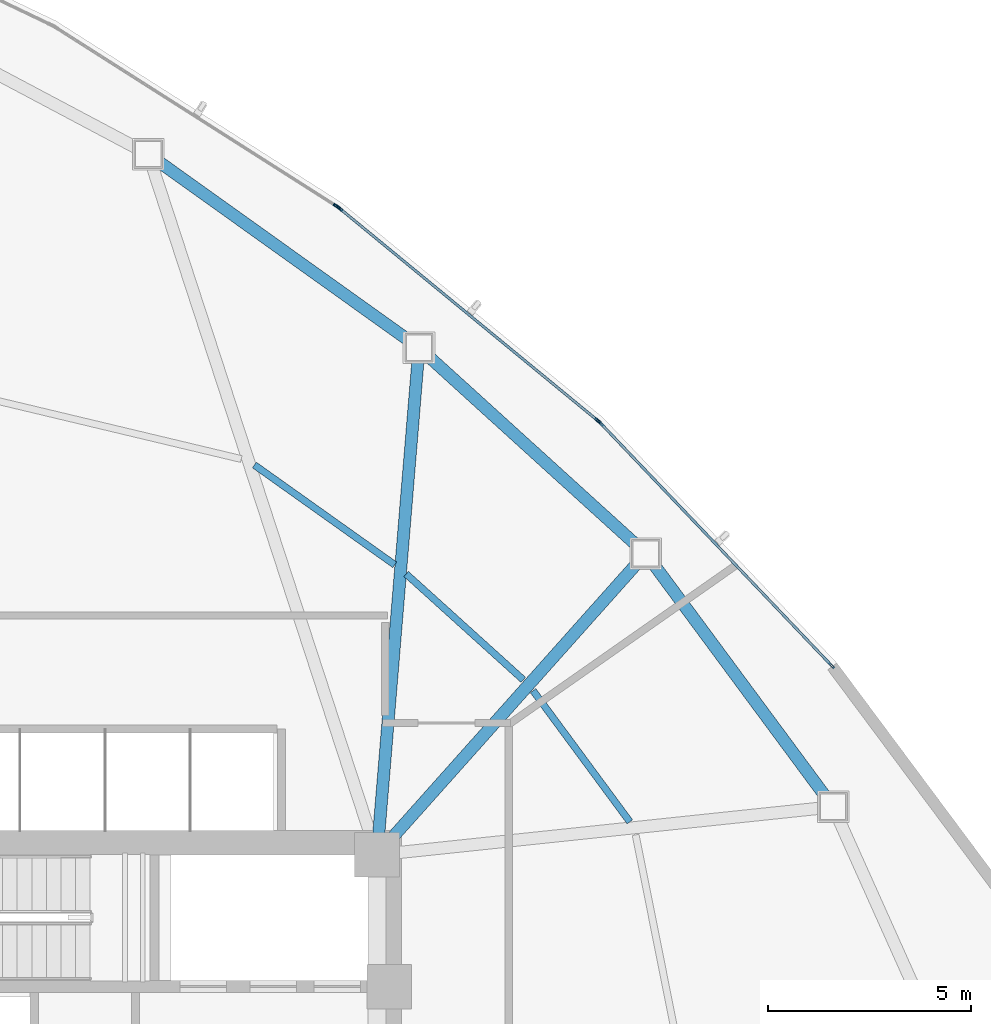
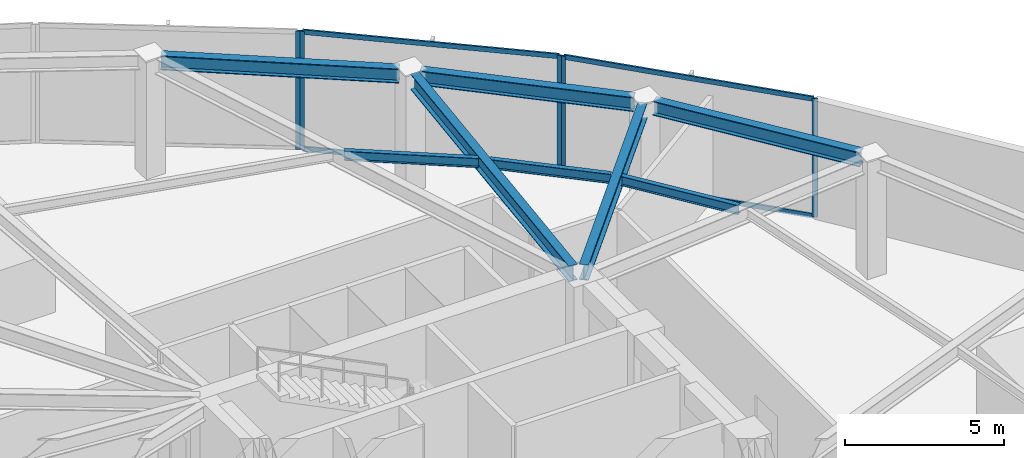
# One storey, part 9 of 16: 9 members, 8 beams, 3 elements without a shape of their own.
"""IFC4 building model written with IfcOpenShell, lengths in metres."""

from ifc_helpers import new_model, si_unit, direction, frame, origin, origin_2d, place, context, subcontext, project, spatial, hollow_rectangle, i_section, extrude, source, transform, mapped, material, layer, layer_set, material_profile, profile_set, type_object, type_shapes, element, aggregate, save


model = new_model("IFC4")

# Units and contexts
model_context = context("Model", 3, precision=1e-05, world=origin(), true_north=direction((0.0, 1.0)))
body_context = subcontext(model_context, "Body", "Model", "MODEL_VIEW")
ifc_project = project(units=[si_unit("LENGTHUNIT", "METRE"), si_unit("AREAUNIT", "SQUARE_METRE"), si_unit("VOLUMEUNIT", "CUBIC_METRE"), si_unit("PLANEANGLEUNIT", "RADIAN"), si_unit("MASSUNIT", "GRAM", prefix="KILO")], contexts=[model_context])

# Site, building, storey
site_placement = place(None, origin())
site = spatial("IfcSite", under=ifc_project, at=site_placement, CompositionType="ELEMENT")
building_placement = place(site_placement, origin())
building = spatial("IfcBuilding", under=site, at=building_placement, Name="Tavelor Broadcast Tower", CompositionType="ELEMENT")
storey_placement = place(building_placement, frame((0.0, 0.0, 97.800048828125)))
storey = spatial("IfcBuildingStorey", under=building, at=storey_placement, Name="L23", CompositionType="ELEMENT", Elevation=97.800048828125)

# Beams
ifc_material_1 = material(Name="Steel S355", Category="steel")
ifc_material_profile_1 = material_profile(ifc_material_1, i_section(OverallWidth=0.169921875, OverallDepth=0.360107421875, WebThickness=0.008056640625, FlangeThickness=0.0126953125, at=origin_2d()), Name="IPE 360")
ifc_profile_set_1 = profile_set([ifc_material_profile_1], Name="Steel S355")
beam_type_1 = type_object("IfcBeamType", Name="Composite Floor Joist T2 IPE 360", PredefinedType="JOIST", material=ifc_profile_set_1)
beam_1_placement = place(storey_placement, frame((62.831298828125, 52.012451171875, 4.369873046875), z_axis=(-0.593748309908, 0.804650821463, 0.0), x_axis=(-0.804650821463, -0.593748309908, 0.0)))
element("IfcBeam", 1, at=beam_1_placement, inside=storey, type_object=beam_type_1, Name="L23 Secondary Composite Floor Joist 15", PredefinedType="JOIST", context=body_context, shape_type="SweptSolid", body=[
    extrude(i_section(OverallWidth=0.169921875, OverallDepth=0.360107421875, WebThickness=0.008056640625, FlangeThickness=0.0126953125, at=origin_2d()), origin(), (0.0, 0.0, 1.0), 4.016845703125),
])
beam_2_placement = place(storey_placement, frame((60.20458984375, 55.51171875, 4.369873046875), z_axis=(-0.741870075826, 0.670543653011, 0.0), x_axis=(-0.670543653011, -0.741870075826, 0.0)))
element("IfcBeam", 2, at=beam_2_placement, inside=storey, type_object=beam_type_1, Name="L23 Secondary Composite Floor Joist 16", PredefinedType="JOIST", context=body_context, shape_type="SweptSolid", body=[
    extrude(i_section(OverallWidth=0.169921875, OverallDepth=0.360107421875, WebThickness=0.008056640625, FlangeThickness=0.0126953125, at=origin_2d()), origin(), (0.0, 0.0, 1.0), 3.891845703125),
])
beam_3_placement = place(storey_placement, frame((57.03564453125, 58.34765625, 4.369873046875), z_axis=(-0.814948080737, 0.579533972864, 0.0), x_axis=(-0.579533972864, -0.814948080737, 0.0)))
element("IfcBeam", 3, at=beam_3_placement, inside=storey, type_object=beam_type_1, Name="L23 Secondary Composite Floor Joist 17", PredefinedType="JOIST", context=body_context, shape_type="SweptSolid", body=[
    extrude(i_section(OverallWidth=0.169921875, OverallDepth=0.360107421875, WebThickness=0.008056640625, FlangeThickness=0.0126953125, at=origin_2d()), origin(), (0.0, 0.0, 1.0), 4.24462890625),
])
ifc_material_profile_2 = material_profile(ifc_material_1, i_section(OverallWidth=0.300048828125, OverallDepth=0.550048828125, WebThickness=0.014892578125, FlangeThickness=0.029052734375, at=origin_2d()), Name="HEB 550")
ifc_profile_set_2 = profile_set([ifc_material_profile_2], Name="Steel S355")
beam_type_2 = type_object("IfcBeamType", Name="Perimeter Spandrel Beam T2 HEB 550", PredefinedType="SPANDREL", material=ifc_profile_set_2)
beam_4_placement = place(storey_placement, frame((67.640869140625, 52.652587890625, 4.27490234375), z_axis=(-0.594676591659, 0.803965018724, 0.0), x_axis=(-0.803965018724, -0.594676591659, 0.0)))
element("IfcBeam", 4, at=beam_4_placement, inside=storey, type_object=beam_type_2, Name="L23 Framed-Tube Ring Spandrel 15", PredefinedType="SPANDREL", context=body_context, shape_type="SweptSolid", body=[
    extrude(i_section(OverallWidth=0.300048828125, OverallDepth=0.550048828125, WebThickness=0.014892578125, FlangeThickness=0.029052734375, at=origin_2d()), origin(), (0.0, 0.0, 1.0), 7.09130859375),
])
beam_5_placement = place(storey_placement, frame((62.975341796875, 58.849609375, 4.27490234375), z_axis=(-0.740416987409, 0.672147814663, 0.0), x_axis=(-0.672147814663, -0.740416987409, 0.0)))
element("IfcBeam", 5, at=beam_5_placement, inside=storey, type_object=beam_type_2, Name="L23 Framed-Tube Ring Spandrel 16", PredefinedType="SPANDREL", context=body_context, shape_type="SweptSolid", body=[
    extrude(i_section(OverallWidth=0.300048828125, OverallDepth=0.550048828125, WebThickness=0.014892578125, FlangeThickness=0.029052734375, at=origin_2d()), origin(), (0.0, 0.0, 1.0), 6.876953125),
])
beam_6_placement = place(storey_placement, frame((57.361572265625, 63.893310546875, 4.27490234375), z_axis=(-0.813492458128, 0.581575464208, 0.0), x_axis=(-0.581575464208, -0.813492458128, 0.0)))
element("IfcBeam", 6, at=beam_6_placement, inside=storey, type_object=beam_type_2, Name="L23 Framed-Tube Ring Spandrel 17", PredefinedType="SPANDREL", context=body_context, shape_type="SweptSolid", body=[
    extrude(i_section(OverallWidth=0.300048828125, OverallDepth=0.550048828125, WebThickness=0.014892578125, FlangeThickness=0.029052734375, at=origin_2d()), origin(), (0.0, 0.0, 1.0), 7.531005859375),
])
ifc_material_profile_3 = material_profile(ifc_material_1, i_section(OverallWidth=0.300048828125, OverallDepth=0.60009765625, WebThickness=0.015380859375, FlangeThickness=0.030029296875, at=origin_2d()), Name="HEB 600")
ifc_profile_set_3 = profile_set([ifc_material_profile_3], Name="Steel S355")
beam_type_3 = type_object("IfcBeamType", Name="Radial Floor Girder T2 HEB 600", PredefinedType="BEAM", material=ifc_profile_set_3)
beam_7_placement = place(storey_placement, frame((56.951416015625, 51.593994140625, 4.25), z_axis=(0.665778646807, 0.74614931043, 0.0), x_axis=(-0.74614931043, 0.665778646807, 0.0)))
element("IfcBeam", 7, at=beam_7_placement, inside=storey, type_object=beam_type_3, Name="L23 Radial Primary Floor Girder 16", PredefinedType="BEAM", context=body_context, shape_type="SweptSolid", body=[
    extrude(i_section(OverallWidth=0.300048828125, OverallDepth=0.60009765625, WebThickness=0.015380859375, FlangeThickness=0.030029296875, at=origin_2d()), origin(), (0.0, 0.0, 1.0), 9.085693359375),
])
beam_8_placement = place(storey_placement, frame((56.6435546875, 51.726318359375, 4.25), z_axis=(0.082528077466, 0.996588739867, 0.0), x_axis=(-0.996588739867, 0.082528077466, 0.0)))
element("IfcBeam", 8, at=beam_8_placement, inside=storey, type_object=beam_type_3, Name="L23 Radial Primary Floor Girder 17", PredefinedType="BEAM", context=body_context, shape_type="SweptSolid", body=[
    extrude(i_section(OverallWidth=0.300048828125, OverallDepth=0.60009765625, WebThickness=0.015380859375, FlangeThickness=0.030029296875, at=origin_2d()), origin(), (0.0, 0.0, 1.0), 11.67626953125),
])

# Curtain wall, members
ifc_material_2 = material(Name="Architectural Anodized Aluminium", Category="aluminium")
ifc_layer = layer(ifc_material_2, 0.179931640625)
ifc_layer_set = layer_set([ifc_layer], Name="Architectural Anodized Aluminium")
curtain_wall_type = type_object("IfcCurtainWallType", Name="Tower Low-Zone Unitised Curtain Wall CW02", PredefinedType="NOTDEFINED", material=ifc_layer_set)
curtain_wall_1_placement = place(storey_placement, origin())
curtain_wall_1 = element("IfcCurtainWall", 9, at=curtain_wall_1_placement, inside=storey, type_object=curtain_wall_type, Name="L23 Curtain Wall CW02 Run 237", PredefinedType="NOTDEFINED")
ifc_material_profile_4 = material_profile(ifc_material_2, hollow_rectangle(XDim=0.06494140625, YDim=0.179931640625, WallThickness=0.02197265625, at=origin_2d()), Name="RHS 65x180x22")
ifc_profile_set_4 = profile_set([ifc_material_profile_4], Name="Architectural Anodized Aluminium")
member_type_1 = type_object("IfcMemberType", Name="CW02 Extruded Aluminium Mullion 65x180", PredefinedType="MULLION", material=ifc_profile_set_4)
shared_shape_1 = source(origin(), body_context, "Body", "SweptSolid", [
    extrude(hollow_rectangle(XDim=0.06494140625, YDim=0.179931640625, WallThickness=0.02197265625, at=origin_2d()), origin(), (0.0, 0.0, 1.0), 4.550048828125),
])
type_shapes(member_type_1, [shared_shape_1])
member_1_placement = place(storey_placement, frame((67.802001953125, 55.864501953125, 0.0), z_axis=(0.0, 0.0, 1.0), x_axis=(-0.723872465939, -0.689933803386, 0.0)))
member_1 = element("IfcMember", 10, at=member_1_placement, type_object=member_type_1, Name="CW02 mullion 1", PredefinedType="MULLION", context=body_context, shape_type="MappedRepresentation", body=[
    mapped(shared_shape_1, transform((0.0, 0.0, 0.0), scale=1.0)),
])
member_2_placement = place(storey_placement, frame((62.110107421875, 61.83642578125, 0.0), z_axis=(0.0, 0.0, 1.0), x_axis=(-0.723872465939, -0.689933803386, 0.0)))
member_2 = element("IfcMember", 11, at=member_2_placement, type_object=member_type_1, Name="CW02 mullion 2", PredefinedType="MULLION", context=body_context, shape_type="MappedRepresentation", body=[
    mapped(shared_shape_1, transform((0.0, 0.0, 0.0), scale=1.0)),
])

curtain_wall_2_placement = place(storey_placement, origin())
curtain_wall_2 = element("IfcCurtainWall", 12, at=curtain_wall_2_placement, inside=storey, type_object=curtain_wall_type, Name="L23 Curtain Wall CW02 Run 238", PredefinedType="NOTDEFINED")
member_3_placement = place(storey_placement, frame((62.04052734375, 61.90087890625, 0.0), z_axis=(0.0, 0.0, 1.0), x_axis=(-0.635056676908, -0.77246554429, 0.0)))
member_3 = element("IfcMember", 13, at=member_3_placement, type_object=member_type_1, Name="CW02 mullion 1", PredefinedType="MULLION", context=body_context, shape_type="MappedRepresentation", body=[
    mapped(shared_shape_1, transform((0.0, 0.0, 0.0), scale=1.0)),
])
member_4_placement = place(storey_placement, frame((55.67919921875, 67.130615234375, 0.0), z_axis=(0.0, 0.0, 1.0), x_axis=(-0.635056676908, -0.77246554429, 0.0)))
member_4 = element("IfcMember", 14, at=member_4_placement, type_object=member_type_1, Name="CW02 mullion 2", PredefinedType="MULLION", context=body_context, shape_type="MappedRepresentation", body=[
    mapped(shared_shape_1, transform((0.0, 0.0, 0.0), scale=1.0)),
])

# Curtain wall, member
curtain_wall_3_placement = place(storey_placement, origin())
curtain_wall_3 = element("IfcCurtainWall", 15, at=curtain_wall_3_placement, inside=storey, type_object=curtain_wall_type, Name="L23 Curtain Wall CW02 Run 239", PredefinedType="NOTDEFINED")
member_5_placement = place(storey_placement, frame((55.6025390625, 67.186279296875, 0.0), z_axis=(0.0, 0.0, 1.0), x_axis=(-0.536928503263, -0.843627751075, 0.0)))
member_5 = element("IfcMember", 16, at=member_5_placement, type_object=member_type_1, Name="CW02 mullion 1", PredefinedType="MULLION", context=body_context, shape_type="MappedRepresentation", body=[
    mapped(shared_shape_1, transform((0.0, 0.0, 0.0), scale=1.0)),
])
aggregate(curtain_wall_3, [member_5])

# Member
ifc_material_profile_5 = material_profile(ifc_material_2, hollow_rectangle(XDim=0.06494140625, YDim=0.179931640625, WallThickness=0.02197265625, at=origin_2d()), Name="RHS 65x180x22")
ifc_profile_set_5 = profile_set([ifc_material_profile_5], Name="Architectural Anodized Aluminium")
member_type_2 = type_object("IfcMemberType", Name="CW02 Extruded Aluminium Transom 65x180", PredefinedType="USERDEFINED", material=ifc_profile_set_5)
shared_shape_2 = source(origin(), body_context, "Body", "SweptSolid", [
    extrude(hollow_rectangle(XDim=0.06494140625, YDim=0.179931640625, WallThickness=0.02197265625, at=origin_2d()), origin(), (0.0, 0.0, 1.0), 8.169921875),
])
member_6_placement = place(storey_placement, frame((62.015380859375, 61.921630859375, 0.032470703125), z_axis=(-0.772461319048, 0.635061816341, 0.0), x_axis=(-0.635061816341, -0.772461319048, 0.0)))
member_6 = element("IfcMember", 17, at=member_6_placement, type_object=member_type_2, Name="CW02 transom 1.1", ObjectType="TRANSOM", PredefinedType="USERDEFINED", context=body_context, shape_type="MappedRepresentation", body=[
    mapped(shared_shape_2, transform((0.0, 0.0, 0.0), scale=1.0)),
])

member_7_placement = place(storey_placement, frame((62.015380859375, 61.921630859375, 4.517333984375), z_axis=(-0.772461319048, 0.635061816341, 0.0), x_axis=(-0.635061816341, -0.772461319048, 0.0)))
member_7 = element("IfcMember", 18, at=member_7_placement, type_object=member_type_2, Name="CW02 transom 1.2", ObjectType="TRANSOM", PredefinedType="USERDEFINED", context=body_context, shape_type="MappedRepresentation", body=[
    mapped(shared_shape_2, transform((0.0, 0.0, 0.0), scale=1.0)),
])

aggregate(curtain_wall_2, [member_3, member_4, member_6, member_7])

shared_shape_3 = source(origin(), body_context, "Body", "SweptSolid", [
    extrude(hollow_rectangle(XDim=0.06494140625, YDim=0.179931640625, WallThickness=0.02197265625, at=origin_2d()), origin(), (0.0, 0.0, 1.0), 8.184814453125),
])
type_shapes(member_type_2, [shared_shape_2, shared_shape_3])
member_8_placement = place(storey_placement, frame((67.779541015625, 55.887939453125, 0.032470703125), z_axis=(-0.689930707021, 0.72387541712, 0.0), x_axis=(-0.72387541712, -0.689930707021, 0.0)))
member_8 = element("IfcMember", 19, at=member_8_placement, type_object=member_type_2, Name="CW02 transom 1.1", ObjectType="TRANSOM", PredefinedType="USERDEFINED", context=body_context, shape_type="MappedRepresentation", body=[
    mapped(shared_shape_3, transform((0.0, 0.0, 0.0), scale=1.0)),
])

member_9_placement = place(storey_placement, frame((67.779541015625, 55.887939453125, 4.517333984375), z_axis=(-0.689930707021, 0.72387541712, 0.0), x_axis=(-0.72387541712, -0.689930707021, 0.0)))
member_9 = element("IfcMember", 20, at=member_9_placement, type_object=member_type_2, Name="CW02 transom 1.2", ObjectType="TRANSOM", PredefinedType="USERDEFINED", context=body_context, shape_type="MappedRepresentation", body=[
    mapped(shared_shape_3, transform((0.0, 0.0, 0.0), scale=1.0)),
])

aggregate(curtain_wall_1, [member_1, member_2, member_8, member_9])

save(model, "model.ifc")
